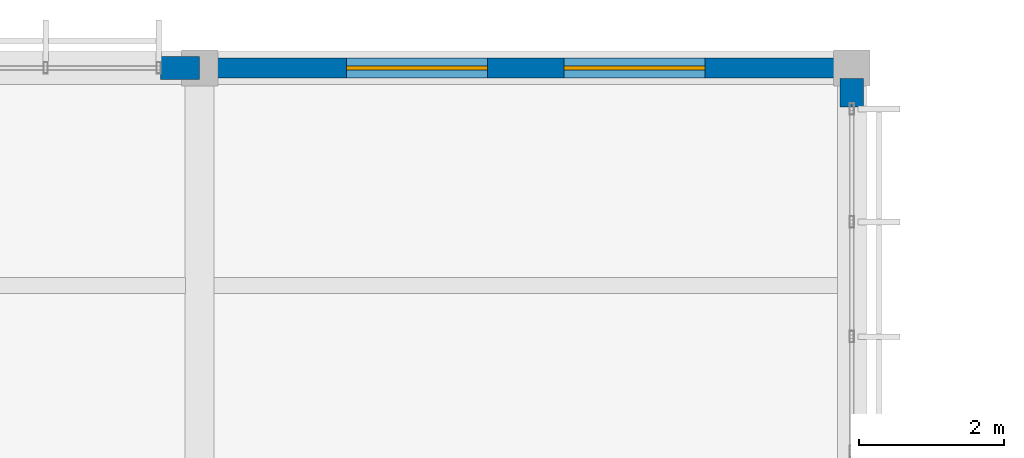
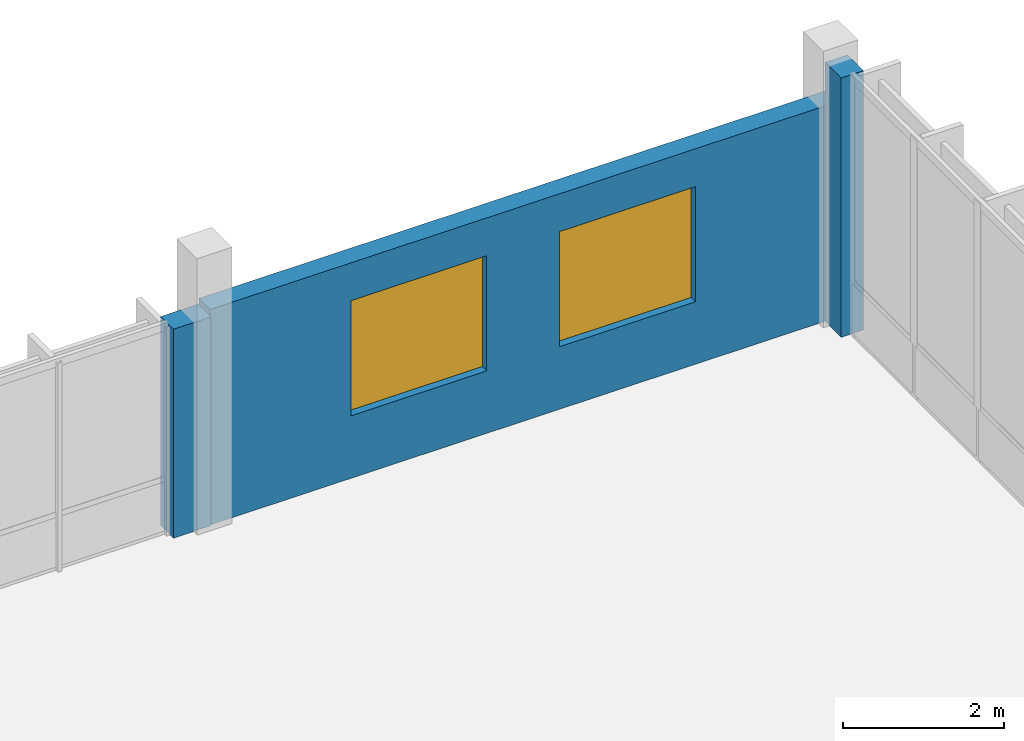
# One storey, part 175 of 182: 3 walls, 2 windows, 2 openings.
"""IFC4 building model written with IfcOpenShell, lengths in metres."""

from ifc_helpers import new_model, si_unit, direction, frame, frame_2d, origin, place, context, subcontext, project, spatial, rectangle, extrude, material, layer, layer_set, type_object, element, fill, save


model = new_model("IFC4")

# Units and contexts
model_context = context("Model", 3, precision=1e-05, world=origin(), true_north=direction((0.0, 1.0)))
body_context = subcontext(model_context, "Body", "Model", "MODEL_VIEW")
ifc_project = project(units=[si_unit("LENGTHUNIT", "METRE"), si_unit("AREAUNIT", "SQUARE_METRE"), si_unit("VOLUMEUNIT", "CUBIC_METRE"), si_unit("PLANEANGLEUNIT", "RADIAN"), si_unit("MASSUNIT", "GRAM", prefix="KILO")], contexts=[model_context])

# Site, building, storey
site_placement = place(None, origin())
site = spatial("IfcSite", under=ifc_project, at=site_placement, CompositionType="ELEMENT")
building_placement = place(site_placement, origin())
building = spatial("IfcBuilding", under=site, at=building_placement, Name="Chiffa Square Polytechnic", CompositionType="ELEMENT")
storey_placement = place(building_placement, frame((0.0, 0.0, 9.60009765625)))
storey = spatial("IfcBuildingStorey", under=building, at=storey_placement, Name="L02", CompositionType="ELEMENT", Elevation=9.60009765625)

# Wall, openings, windows
ifc_material_1 = material(Name="Precast concrete C40/50", Category="concrete")
ifc_layer_1 = layer(ifc_material_1, 0.280029296875, Name="Precast concrete C40/50")
ifc_layer_set_1 = layer_set([ifc_layer_1], Name="Precast concrete C40/50")
wall_type_1 = type_object("IfcWallType", Name="WL-EXT-PC280", PredefinedType="SOLIDWALL", material=ifc_layer_set_1)
wall_1_placement = place(storey_placement, frame((148.199951171875, 130.800048828125, 0.0), z_axis=(0.0, 0.0, 1.0), x_axis=(-1.0, 0.0, 0.0)))
wall_1 = element("IfcWall", 1, at=wall_1_placement, inside=storey, type_object=wall_type_1, Name="Exterior wall WE-V5-L02-0307", PredefinedType="SOLIDWALL", context=body_context, shape_type="SweptSolid", body=[
    extrude(rectangle(XDim=9.0, YDim=0.280029296875, at=frame_2d((4.5, 0.0))), origin(), (0.0, 0.0, 1.0), 3.27490234375),
])
opening_1_placement = place(wall_1_placement, frame((2.02490234375, 0.0, 0.949951171875)))
opening_1 = element("IfcOpeningElement", 2, at=opening_1_placement, cuts=wall_1, Name="Opening W-04", PredefinedType="OPENING", context=body_context, shape_type="SweptSolid", body=[
    extrude(rectangle(XDim=1.949951171875, YDim=1.75, at=frame_2d((0.97509765625, 0.875))), frame((0.0, 0.14990234375, 0.0), z_axis=(0.0, -1.0, 0.0), x_axis=(1.0, 0.0, 0.0)), (0.0, 0.0, 1.0), 0.300048828125),
])
opening_2_placement = place(wall_1_placement, frame((5.02490234375, 0.0, 0.949951171875)))
opening_2 = element("IfcOpeningElement", 3, at=opening_2_placement, cuts=wall_1, Name="Opening W-04", PredefinedType="OPENING", context=body_context, shape_type="SweptSolid", body=[
    extrude(rectangle(XDim=1.949951171875, YDim=1.75, at=frame_2d((0.97509765625, 0.875))), frame((0.0, 0.14990234375, 0.0), z_axis=(0.0, -1.0, 0.0), x_axis=(1.0, 0.0, 0.0)), (0.0, 0.0, 1.0), 0.300048828125),
])
ifc_material_2 = material(Name="Double glazing in thermally broken aluminium frame", Category="aluminium")
window_type = type_object("IfcWindowType", Name="WIN-LAB-1950X1750", PartitioningType="DOUBLE_PANEL_VERTICAL", PredefinedType="WINDOW", material=ifc_material_2)
window_1_placement = place(opening_1_placement, origin())
window_1 = element("IfcWindow", 4, at=window_1_placement, inside=storey, type_object=window_type, Name="Facade window WN-L02-0199", OverallHeight=1.75, OverallWidth=1.949951171875, PartitioningType="DOUBLE_PANEL_VERTICAL", PredefinedType="WINDOW", context=body_context, shape_type="SweptSolid", body=[
    extrude(rectangle(XDim=1.949951171875, YDim=1.75, at=frame_2d((0.97509765625, 0.875))), frame((0.0, 0.030029296875, 0.0), z_axis=(0.0, -1.0, 0.0), x_axis=(1.0, 0.0, 0.0)), (0.0, 0.0, 1.0), 0.06005859375),
])
fill(opening_1, window_1)
window_2_placement = place(opening_2_placement, origin())
window_2 = element("IfcWindow", 5, at=window_2_placement, inside=storey, type_object=window_type, Name="Facade window WN-L02-0200", OverallHeight=1.75, OverallWidth=1.949951171875, PartitioningType="DOUBLE_PANEL_VERTICAL", PredefinedType="WINDOW", context=body_context, shape_type="SweptSolid", body=[
    extrude(rectangle(XDim=1.949951171875, YDim=1.75, at=frame_2d((0.97509765625, 0.875))), frame((0.0, 0.030029296875, 0.0), z_axis=(0.0, -1.0, 0.0), x_axis=(1.0, 0.0, 0.0)), (0.0, 0.0, 1.0), 0.06005859375),
])
fill(opening_2, window_2)

# Walls
ifc_layer_2 = layer(ifc_material_1, 0.320068359375, Name="Precast concrete C40/50")
ifc_layer_set_2 = layer_set([ifc_layer_2], Name="Precast concrete C40/50")
wall_type_2 = type_object("IfcWallType", Name="WL-EXT-PC320", PredefinedType="SOLIDWALL", material=ifc_layer_set_2)
wall_2_placement = place(storey_placement, frame((148.199951171875, 130.260009765625, 0.0), z_axis=(0.0, 0.0, 1.0), x_axis=(0.0, 1.0, 0.0)))
element("IfcWall", 6, at=wall_2_placement, inside=storey, type_object=wall_type_2, Name="Facade column pier V5-L02-0306R", PredefinedType="SOLIDWALL", context=body_context, shape_type="SweptSolid", body=[
    extrude(rectangle(XDim=0.39794921875, YDim=0.320068359375, at=frame_2d((0.198974609375, 0.0))), origin(), (0.0, 0.0, 1.0), 3.93994140625),
])
wall_3_placement = place(storey_placement, frame((139.199951171875, 130.800048828125, 0.0), z_axis=(0.0, 0.0, 1.0), x_axis=(-1.0, 0.0, 0.0)))
element("IfcWall", 7, at=wall_3_placement, inside=storey, type_object=wall_type_2, Name="Facade column pier V5-L02-0308L", PredefinedType="SOLIDWALL", context=body_context, shape_type="SweptSolid", body=[
    extrude(rectangle(XDim=0.5400390625, YDim=0.320068359375, at=frame_2d((0.27001953125, 0.0))), origin(), (0.0, 0.0, 1.0), 3.1748046875),
])

save(model, "model.ifc")
